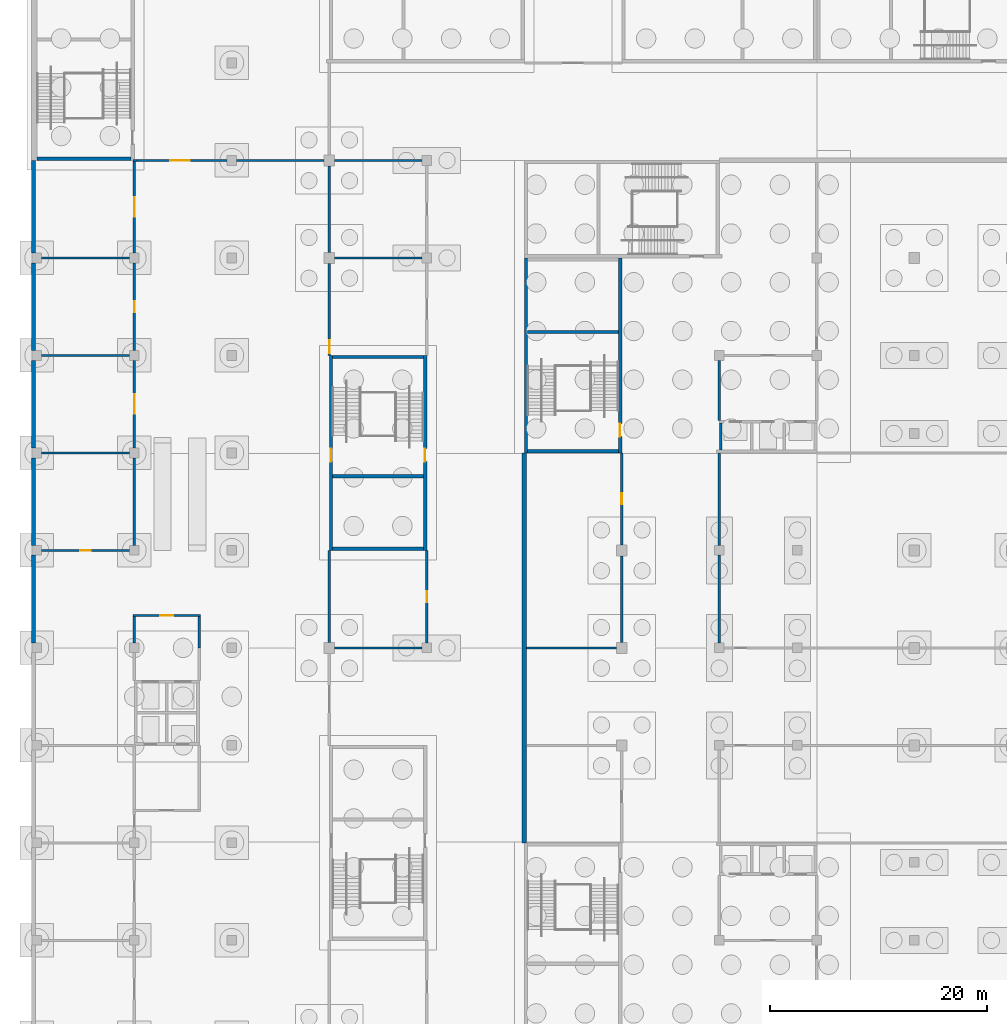
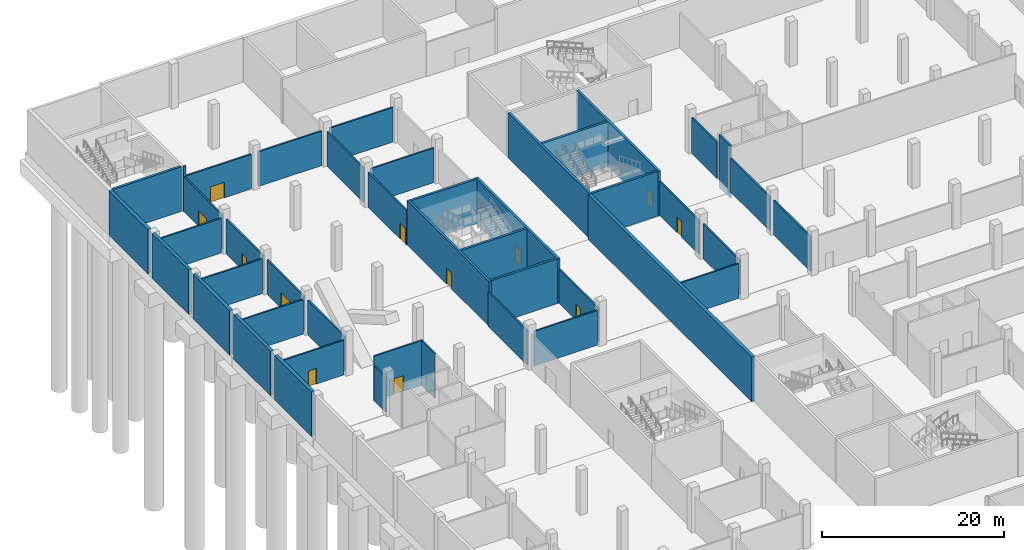
# One storey, part 12 of 42: 44 walls, 12 doors, 12 openings.
"""IFC4 building model written with IfcOpenShell, lengths in metres."""

from ifc_helpers import new_model, si_unit, direction, frame, frame_2d, origin, place, context, subcontext, project, spatial, rectangle, extrude, material, layer, layer_set, type_object, element, fill, save


model = new_model("IFC4")

# Units and contexts
model_context = context("Model", 3, precision=1e-05, world=origin(), true_north=direction((0.0, 1.0)))
body_context = subcontext(model_context, "Body", "Model", "MODEL_VIEW")
ifc_project = project(units=[si_unit("LENGTHUNIT", "METRE"), si_unit("AREAUNIT", "SQUARE_METRE"), si_unit("VOLUMEUNIT", "CUBIC_METRE"), si_unit("PLANEANGLEUNIT", "RADIAN"), si_unit("MASSUNIT", "GRAM", prefix="KILO")], contexts=[model_context])

# Site, building, storey
site_placement = place(None, origin())
site = spatial("IfcSite", under=ifc_project, at=site_placement, CompositionType="ELEMENT")
building_placement = place(site_placement, origin())
building = spatial("IfcBuilding", under=site, at=building_placement, Name="Silverbay Arena", CompositionType="ELEMENT")
storey_placement = place(building_placement, frame((0.0, 0.0, -6.0)))
storey = spatial("IfcBuildingStorey", under=building, at=storey_placement, Name="B1", CompositionType="ELEMENT", Elevation=-6.0)

# Walls
ifc_material_1 = material(Name="Concrete Grade C45", Category="concrete")
ifc_layer_1 = layer(ifc_material_1, 0.39990234375)
ifc_layer_set_1 = layer_set([ifc_layer_1], Name="Concrete Grade C45")
wall_type_1 = type_object("IfcWallType", Name="Basement perimeter wall 400", PredefinedType="SOLIDWALL", material=ifc_layer_set_1)
for number, where, z_axis, x_axis, name in (
    (1, (26.699951171875, 89.550048828125, 0.0), (0.0, 0.0, 1.0), (0.0, -1.0, 0.0), "West external wall B1 bay 8"),
    (2, (26.699951171875, 98.550048828125, 0.0), (0.0, 0.0, 1.0), (0.0, -1.0, 0.0), "West external wall B1 bay 9"),
    (3, (26.699951171875, 107.550048828125, 0.0), (0.0, 0.0, 1.0), (0.0, -1.0, 0.0), "West external wall B1 bay 10"),
    (4, (26.699951171875, 116.550048828125, 0.0), (0.0, 0.0, 1.0), (0.0, -1.0, 0.0), "West external wall B1 bay 11"),
):
    element("IfcWall", number, at=place(storey_placement, frame(where, z_axis=z_axis, x_axis=x_axis)), inside=storey, type_object=wall_type_1, Name=name, PredefinedType="SOLIDWALL", context=body_context, shape_type="SweptSolid", body=[
        extrude(rectangle(XDim=8.10009765625, YDim=0.39990234375, at=frame_2d((4.050048828125, 0.0))), origin(), (0.0, 0.0, 1.0), 6.0),
    ])
wall_1_placement = place(storey_placement, frame((26.699951171875, 126.0, 0.0), z_axis=(0.0, 0.0, 1.0), x_axis=(0.0, -1.0, 0.0)))
element("IfcWall", 5, at=wall_1_placement, inside=storey, type_object=wall_type_1, Name="West external wall B1 bay 12", PredefinedType="SOLIDWALL", context=body_context, shape_type="SweptSolid", body=[
    extrude(rectangle(XDim=8.550048828125, YDim=0.39990234375, at=frame_2d((4.27490234375, 0.0))), origin(), (0.0, 0.0, 1.0), 6.0),
])

# Wall, opening, door
ifc_material_2 = material(Name="Concrete Grade C45", Category="concrete")
ifc_layer_2 = layer(ifc_material_2, 0.300048828125)
ifc_layer_set_2 = layer_set([ifc_layer_2], Name="Concrete Grade C45")
wall_type_2 = type_object("IfcWallType", Name="Core wall RC 300 EI 240", PredefinedType="SHEAR", material=ifc_layer_set_2)
wall_2_placement = place(storey_placement, frame((62.85009765625, 108.0, 0.0), z_axis=(0.0, 0.0, 1.0), x_axis=(0.0, -1.0, 0.0)))
wall_2 = element("IfcWall", 6, at=wall_2_placement, inside=storey, type_object=wall_type_2, Name="Core wall ST-W2 B1 door side", PredefinedType="SHEAR", context=body_context, shape_type="SweptSolid", body=[
    extrude(rectangle(XDim=18.0, YDim=0.300048828125, at=frame_2d((9.0, 0.0))), origin(), (0.0, 0.0, 1.0), 6.0),
])
opening_1_placement = place(wall_2_placement, frame((8.60009765625, 0.0, 0.0)))
opening_1 = element("IfcOpeningElement", 7, at=opening_1_placement, cuts=wall_2, Name="Opening B1-084", PredefinedType="OPENING", context=body_context, shape_type="SweptSolid", body=[
    extrude(rectangle(XDim=1.199951171875, YDim=2.10009765625, at=frame_2d((0.60009765625, 1.050048828125))), frame((0.0, 0.16015625, 0.0), z_axis=(0.0, -1.0, 0.0), x_axis=(1.0, 0.0, 0.0)), (0.0, 0.0, 1.0), 0.320068359375),
])
ifc_material_3 = material(Name="Steel fire door", Category="steel")
door_type_1 = type_object("IfcDoorType", Name="Stair door 1200 x 2100 fire door", OperationType="SINGLE_SWING_LEFT", PredefinedType="DOOR", material=ifc_material_3)
door_1_placement = place(opening_1_placement, frame((1.199951171875, 0.0, 0.0), z_axis=(0.0, 0.0, 1.0), x_axis=(-1.0, 0.0, 0.0)))
door_1 = element("IfcDoor", 8, at=door_1_placement, inside=storey, type_object=door_type_1, Name="Stair door ST-W2 B1", OperationType="SINGLE_SWING_LEFT", OverallHeight=2.10009765625, OverallWidth=1.199951171875, PredefinedType="DOOR", context=body_context, shape_type="SweptSolid", body=[
    extrude(rectangle(XDim=1.199951171875, YDim=2.10009765625, at=frame_2d((0.60009765625, 1.050048828125))), frame((0.0, 0.02490234375, 0.0), z_axis=(0.0, -1.0, 0.0), x_axis=(1.0, 0.0, 0.0)), (0.0, 0.0, 1.0), 0.050048828125),
])
fill(opening_1, door_1)

wall_3_placement = place(storey_placement, frame((54.14990234375, 108.0, 0.0), z_axis=(0.0, 0.0, 1.0), x_axis=(0.0, -1.0, 0.0)))
wall_3 = element("IfcWall", 9, at=wall_3_placement, inside=storey, type_object=wall_type_2, Name="Core wall ST-W2 B1 far side", PredefinedType="SHEAR", context=body_context, shape_type="SweptSolid", body=[
    extrude(rectangle(XDim=18.0, YDim=0.300048828125, at=frame_2d((9.0, 0.0))), origin(), (0.0, 0.0, 1.0), 6.0),
])
opening_2_placement = place(wall_3_placement, frame((8.60009765625, 0.0, 0.0)))
opening_2 = element("IfcOpeningElement", 10, at=opening_2_placement, cuts=wall_3, Name="Opening B1-085", PredefinedType="OPENING", context=body_context, shape_type="SweptSolid", body=[
    extrude(rectangle(XDim=1.199951171875, YDim=2.10009765625, at=frame_2d((0.60009765625, 1.050048828125))), frame((0.0, 0.16015625, 0.0), z_axis=(0.0, -1.0, 0.0), x_axis=(1.0, 0.0, 0.0)), (0.0, 0.0, 1.0), 0.320068359375),
])
door_2_placement = place(opening_2_placement, origin())
door_2 = element("IfcDoor", 11, at=door_2_placement, inside=storey, type_object=door_type_1, Name="Stair door ST-W2 B1 concourse side", OperationType="SINGLE_SWING_RIGHT", OverallHeight=2.10009765625, OverallWidth=1.199951171875, PredefinedType="DOOR", context=body_context, shape_type="SweptSolid", body=[
    extrude(rectangle(XDim=1.199951171875, YDim=2.10009765625, at=frame_2d((0.60009765625, 1.050048828125))), frame((0.0, 0.02490234375, 0.0), z_axis=(0.0, -1.0, 0.0), x_axis=(1.0, 0.0, 0.0)), (0.0, 0.0, 1.0), 0.050048828125),
])
fill(opening_2, door_2)

# Walls
for number, where, z_axis, x_axis, name in (
    (12, (62.699951171875, 107.85009765625, 0.0), (0.0, 0.0, 1.0), (-1.0, 0.0, 0.0), "Core wall ST-W2 B1 end 1"),
    (13, (62.699951171875, 90.14990234375, 0.0), (0.0, 0.0, 1.0), (-1.0, 0.0, 0.0), "Core wall ST-W2 B1 end 2"),
    (14, (62.699951171875, 96.85009765625, 0.0), (0.0, 0.0, 1.0), (-1.0, 0.0, 0.0), "Core wall ST-W2 B1 stair enclosure"),
):
    element("IfcWall", number, at=place(storey_placement, frame(where, z_axis=z_axis, x_axis=x_axis)), inside=storey, type_object=wall_type_2, Name=name, PredefinedType="SHEAR", context=body_context, shape_type="SweptSolid", body=[
        extrude(rectangle(XDim=8.39990234375, YDim=0.300048828125, at=frame_2d((4.199951171875, 0.0))), origin(), (0.0, 0.0, 1.0), 6.0),
    ])

# Wall, opening, door
wall_4_placement = place(storey_placement, frame((80.85009765625, 99.0, 0.0), z_axis=(0.0, 0.0, 1.0), x_axis=(0.0, 1.0, 0.0)))
wall_4 = element("IfcWall", 15, at=wall_4_placement, inside=storey, type_object=wall_type_2, Name="Core wall ST-NW2 B1 door side", PredefinedType="SHEAR", context=body_context, shape_type="SweptSolid", body=[
    extrude(rectangle(XDim=18.0, YDim=0.300048828125, at=frame_2d((9.0, 0.0))), origin(), (0.0, 0.0, 1.0), 6.0),
])
opening_3_placement = place(wall_4_placement, frame((1.5, 0.0, 0.0)))
opening_3 = element("IfcOpeningElement", 16, at=opening_3_placement, cuts=wall_4, Name="Opening B1-093", PredefinedType="OPENING", context=body_context, shape_type="SweptSolid", body=[
    extrude(rectangle(XDim=1.199951171875, YDim=2.10009765625, at=frame_2d((0.60009765625, 1.050048828125))), frame((0.0, 0.16015625, 0.0), z_axis=(0.0, -1.0, 0.0), x_axis=(1.0, 0.0, 0.0)), (0.0, 0.0, 1.0), 0.320068359375),
])
door_3_placement = place(opening_3_placement, origin())
door_3 = element("IfcDoor", 17, at=door_3_placement, inside=storey, type_object=door_type_1, Name="Stair door ST-NW2 B1", OperationType="SINGLE_SWING_LEFT", OverallHeight=2.10009765625, OverallWidth=1.199951171875, PredefinedType="DOOR", context=body_context, shape_type="SweptSolid", body=[
    extrude(rectangle(XDim=1.199951171875, YDim=2.10009765625, at=frame_2d((0.60009765625, 1.050048828125))), frame((0.0, 0.02490234375, 0.0), z_axis=(0.0, -1.0, 0.0), x_axis=(1.0, 0.0, 0.0)), (0.0, 0.0, 1.0), 0.050048828125),
])
fill(opening_3, door_3)

# Walls
wall_5_placement = place(storey_placement, frame((72.14990234375, 99.0, 0.0), z_axis=(0.0, 0.0, 1.0), x_axis=(0.0, 1.0, 0.0)))
element("IfcWall", 18, at=wall_5_placement, inside=storey, type_object=wall_type_2, Name="Core wall ST-NW2 B1 far side", PredefinedType="SHEAR", context=body_context, shape_type="SweptSolid", body=[
    extrude(rectangle(XDim=18.0, YDim=0.300048828125, at=frame_2d((9.0, 0.0))), origin(), (0.0, 0.0, 1.0), 6.0),
])
for number, where, z_axis, x_axis, name in (
    (19, (80.699951171875, 99.14990234375, 0.0), (0.0, 0.0, 1.0), (-1.0, 0.0, 0.0), "Core wall ST-NW2 B1 end 1"),
    (20, (80.699951171875, 110.14990234375, 0.0), (0.0, 0.0, 1.0), (-1.0, 0.0, 0.0), "Core wall ST-NW2 B1 stair enclosure"),
):
    element("IfcWall", number, at=place(storey_placement, frame(where, z_axis=z_axis, x_axis=x_axis)), inside=storey, type_object=wall_type_2, Name=name, PredefinedType="SHEAR", context=body_context, shape_type="SweptSolid", body=[
        extrude(rectangle(XDim=8.39990234375, YDim=0.300048828125, at=frame_2d((4.199951171875, 0.0))), origin(), (0.0, 0.0, 1.0), 6.0),
    ])
wall_6_placement = place(storey_placement, frame((35.699951171875, 126.14990234375, 0.0), z_axis=(0.0, 0.0, 1.0), x_axis=(-1.0, 0.0, 0.0)))
element("IfcWall", 21, at=wall_6_placement, inside=storey, type_object=wall_type_2, Name="Core wall ST-WG2 B1 end 1", PredefinedType="SHEAR", context=body_context, shape_type="SweptSolid", body=[
    extrude(rectangle(XDim=8.699951171875, YDim=0.300048828125, at=frame_2d((4.35009765625, 0.0))), origin(), (0.0, 0.0, 1.0), 6.0),
])
ifc_material_4 = material(Name="Concrete Grade C45", Category="concrete")
ifc_layer_3 = layer(ifc_material_4, 0.25)
ifc_layer_set_3 = layer_set([ifc_layer_3], Name="Concrete Grade C45")
wall_type_3 = type_object("IfcWallType", Name="Lift shaft wall RC 250 EI 240", PredefinedType="SHEAR", material=ifc_layer_set_3)
wall_7_placement = place(storey_placement, frame((90.125, 99.25, -1.0), z_axis=(0.0, 0.0, 1.0), x_axis=(0.0, 1.0, 0.0)))
element("IfcWall", 22, at=wall_7_placement, inside=storey, type_object=wall_type_3, Name="Lift shaft wall LB-NW B1 end", PredefinedType="SHEAR", context=body_context, shape_type="SweptSolid", body=[
    extrude(rectangle(XDim=2.5, YDim=0.25, at=frame_2d((1.25, 0.0))), origin(), (0.0, 0.0, 1.0), 7.0),
])
ifc_material_5 = material(Name="Masonry blockwork partition", Category="masonry")
ifc_layer_4 = layer(ifc_material_5, 0.199951171875)
ifc_layer_set_4 = layer_set([ifc_layer_4], Name="Masonry blockwork partition")
wall_type_4 = type_object("IfcWallType", Name="Partition 200 EI 240", PredefinedType="PARTITIONING", material=ifc_layer_set_4)
wall_8_placement = place(storey_placement, frame((54.5, 81.0, 0.0), z_axis=(0.0, 0.0, 1.0), x_axis=(1.0, 0.0, 0.0)))
element("IfcWall", 23, at=wall_8_placement, inside=storey, type_object=wall_type_4, Name="Partition wall", PredefinedType="PARTITIONING", context=body_context, shape_type="SweptSolid", body=[
    extrude(rectangle(XDim=8.050048828125, YDim=0.199951171875, at=frame_2d((4.02490234375, 0.0))), origin(), (0.0, 0.0, 1.0), 4.64990234375),
])
wall_9_placement = place(storey_placement, frame((72.199951171875, 81.0, 0.0), z_axis=(0.0, 0.0, 1.0), x_axis=(1.0, 0.0, 0.0)))
element("IfcWall", 24, at=wall_9_placement, inside=storey, type_object=wall_type_4, Name="Partition wall", PredefinedType="PARTITIONING", context=body_context, shape_type="SweptSolid", body=[
    extrude(rectangle(XDim=8.300048828125, YDim=0.199951171875, at=frame_2d((4.14990234375, 0.0))), origin(), (0.0, 0.0, 1.0), 4.64990234375),
])

# Wall, opening, door
wall_10_placement = place(storey_placement, frame((35.89990234375, 84.0, 0.0), z_axis=(0.0, 0.0, 1.0), x_axis=(1.0, 0.0, 0.0)))
wall_10 = element("IfcWall", 25, at=wall_10_placement, inside=storey, type_object=wall_type_4, Name="Partition wall", PredefinedType="PARTITIONING", context=body_context, shape_type="SweptSolid", body=[
    extrude(rectangle(XDim=6.2001953125, YDim=0.199951171875, at=frame_2d((3.10009765625, 0.0))), origin(), (0.0, 0.0, 1.0), 6.0),
])
opening_4_placement = place(wall_10_placement, frame((2.5, 0.0, 0.0)))
opening_4 = element("IfcOpeningElement", 26, at=opening_4_placement, cuts=wall_10, Name="Opening B1-054", PredefinedType="OPENING", context=body_context, shape_type="SweptSolid", body=[
    extrude(rectangle(XDim=1.199951171875, YDim=2.10009765625, at=frame_2d((0.60009765625, 1.050048828125))), frame((0.0, 0.10986328125, 0.0), z_axis=(0.0, -1.0, 0.0), x_axis=(1.0, 0.0, 0.0)), (0.0, 0.0, 1.0), 0.219970703125),
])
ifc_material_6 = material(Name="Steel faced timber", Category="steel")
door_type_2 = type_object("IfcDoorType", Name="Single leaf door 1200 x 2100 FD240", OperationType="SINGLE_SWING_LEFT", PredefinedType="DOOR", material=ifc_material_6)
door_4_placement = place(opening_4_placement, origin())
door_4 = element("IfcDoor", 27, at=door_4_placement, inside=storey, type_object=door_type_2, Name="Door B1-054", OperationType="SINGLE_SWING_RIGHT", OverallHeight=2.10009765625, OverallWidth=1.199951171875, PredefinedType="DOOR", context=body_context, shape_type="SweptSolid", body=[
    extrude(rectangle(XDim=1.199951171875, YDim=2.10009765625, at=frame_2d((0.60009765625, 1.050048828125))), frame((0.0, 0.02490234375, 0.0), z_axis=(0.0, -1.0, 0.0), x_axis=(1.0, 0.0, 0.0)), (0.0, 0.0, 1.0), 0.050048828125),
])
fill(opening_4, door_4)

wall_11_placement = place(storey_placement, frame((27.449951171875, 90.0, 0.0), z_axis=(0.0, 0.0, 1.0), x_axis=(1.0, 0.0, 0.0)))
wall_11 = element("IfcWall", 28, at=wall_11_placement, inside=storey, type_object=wall_type_4, Name="Partition wall", PredefinedType="PARTITIONING", context=body_context, shape_type="SweptSolid", body=[
    extrude(rectangle(XDim=8.10009765625, YDim=0.199951171875, at=frame_2d((4.050048828125, 0.0))), origin(), (0.0, 0.0, 1.0), 4.64990234375),
])
opening_5_placement = place(wall_11_placement, frame((3.550048828125, 0.0, 0.0)))
opening_5 = element("IfcOpeningElement", 29, at=opening_5_placement, cuts=wall_11, Name="Opening B1-025", PredefinedType="OPENING", context=body_context, shape_type="SweptSolid", body=[
    extrude(rectangle(XDim=1.0, YDim=2.10009765625, at=frame_2d((0.5, 1.050048828125))), frame((0.0, 0.10986328125, 0.0), z_axis=(0.0, -1.0, 0.0), x_axis=(1.0, 0.0, 0.0)), (0.0, 0.0, 1.0), 0.219970703125),
])
ifc_material_7 = material(Name="Steel faced timber", Category="steel")
door_type_3 = type_object("IfcDoorType", Name="Single leaf door 1000 x 2100 FD120", OperationType="SINGLE_SWING_LEFT", PredefinedType="DOOR", material=ifc_material_7)
door_5_placement = place(opening_5_placement, origin())
door_5 = element("IfcDoor", 30, at=door_5_placement, inside=storey, type_object=door_type_3, Name="Door B1-025", OperationType="SINGLE_SWING_LEFT", OverallHeight=2.10009765625, OverallWidth=1.0, PredefinedType="DOOR", context=body_context, shape_type="SweptSolid", body=[
    extrude(rectangle(XDim=1.0, YDim=2.10009765625, at=frame_2d((0.5, 1.050048828125))), frame((0.0, 0.02490234375, 0.0), z_axis=(0.0, -1.0, 0.0), x_axis=(1.0, 0.0, 0.0)), (0.0, 0.0, 1.0), 0.050048828125),
])
fill(opening_5, door_5)

# Walls
for number, where, z_axis, x_axis, name in (
    (31, (27.449951171875, 99.0, 0.0), (0.0, 0.0, 1.0), (1.0, 0.0, 0.0), "Partition wall"),
    (32, (27.449951171875, 108.0, 0.0), (0.0, 0.0, 1.0), (1.0, 0.0, 0.0), "Partition wall"),
    (33, (27.449951171875, 117.0, 0.0), (0.0, 0.0, 1.0), (1.0, 0.0, 0.0), "Partition wall"),
):
    element("IfcWall", number, at=place(storey_placement, frame(where, z_axis=z_axis, x_axis=x_axis)), inside=storey, type_object=wall_type_4, Name=name, PredefinedType="PARTITIONING", context=body_context, shape_type="SweptSolid", body=[
        extrude(rectangle(XDim=8.10009765625, YDim=0.199951171875, at=frame_2d((4.050048828125, 0.0))), origin(), (0.0, 0.0, 1.0), 4.64990234375),
    ])
for number, where, z_axis, x_axis, name in (
    (34, (54.5, 117.0, 0.0), (0.0, 0.0, 1.0), (1.0, 0.0, 0.0), "Partition wall"),
    (35, (45.449951171875, 126.0, 0.0), (0.0, 0.0, 1.0), (1.0, 0.0, 0.0), "Partition wall"),
):
    element("IfcWall", number, at=place(storey_placement, frame(where, z_axis=z_axis, x_axis=x_axis)), inside=storey, type_object=wall_type_4, Name=name, PredefinedType="PARTITIONING", context=body_context, shape_type="SweptSolid", body=[
        extrude(rectangle(XDim=8.050048828125, YDim=0.199951171875, at=frame_2d((4.02490234375, 0.0))), origin(), (0.0, 0.0, 1.0), 4.64990234375),
    ])

# Wall, opening, door
wall_12_placement = place(storey_placement, frame((36.25, 126.0, 0.0), z_axis=(0.0, 0.0, 1.0), x_axis=(1.0, 0.0, 0.0)))
wall_12 = element("IfcWall", 36, at=wall_12_placement, inside=storey, type_object=wall_type_4, Name="Partition wall", PredefinedType="PARTITIONING", context=body_context, shape_type="SweptSolid", body=[
    extrude(rectangle(XDim=8.300048828125, YDim=0.199951171875, at=frame_2d((4.14990234375, 0.0))), origin(), (0.0, 0.0, 1.0), 4.64990234375),
])
opening_6_placement = place(wall_12_placement, frame((3.074951171875, 0.0, 0.0)))
opening_6 = element("IfcOpeningElement", 37, at=opening_6_placement, cuts=wall_12, Name="Opening B1-061", PredefinedType="OPENING", context=body_context, shape_type="SweptSolid", body=[
    extrude(rectangle(XDim=1.800048828125, YDim=2.10009765625, at=frame_2d((0.89990234375, 1.050048828125))), frame((0.0, 0.10986328125, 0.0), z_axis=(0.0, -1.0, 0.0), x_axis=(1.0, 0.0, 0.0)), (0.0, 0.0, 1.0), 0.219970703125),
])
ifc_material_8 = material(Name="Steel faced timber", Category="steel")
door_type_4 = type_object("IfcDoorType", Name="Double leaf door 1800 x 2100 FD240", OperationType="DOUBLE_DOOR_DOUBLE_SWING", PredefinedType="DOOR", material=ifc_material_8)
door_6_placement = place(opening_6_placement, origin())
door_6 = element("IfcDoor", 38, at=door_6_placement, inside=storey, type_object=door_type_4, Name="Door B1-061", OperationType="DOUBLE_DOOR_DOUBLE_SWING", OverallHeight=2.10009765625, OverallWidth=1.800048828125, PredefinedType="DOOR", context=body_context, shape_type="SweptSolid", body=[
    extrude(rectangle(XDim=1.800048828125, YDim=2.10009765625, at=frame_2d((0.89990234375, 1.050048828125))), frame((0.0, 0.02490234375, 0.0), z_axis=(0.0, -1.0, 0.0), x_axis=(1.0, 0.0, 0.0)), (0.0, 0.0, 1.0), 0.050048828125),
])
fill(opening_6, door_6)

# Walls
wall_13_placement = place(storey_placement, frame((54.5, 126.0, 0.0), z_axis=(0.0, 0.0, 1.0), x_axis=(1.0, 0.0, 0.0)))
element("IfcWall", 39, at=wall_13_placement, inside=storey, type_object=wall_type_4, Name="Partition wall", PredefinedType="PARTITIONING", context=body_context, shape_type="SweptSolid", body=[
    extrude(rectangle(XDim=8.050048828125, YDim=0.199951171875, at=frame_2d((4.02490234375, 0.0))), origin(), (0.0, 0.0, 1.0), 4.64990234375),
])
wall_14_placement = place(storey_placement, frame((36.0, 81.449951171875, 0.0), z_axis=(0.0, 0.0, 1.0), x_axis=(0.0, 1.0, 0.0)))
element("IfcWall", 40, at=wall_14_placement, inside=storey, type_object=wall_type_4, Name="Partition wall", PredefinedType="PARTITIONING", context=body_context, shape_type="SweptSolid", body=[
    extrude(rectangle(XDim=2.449951171875, YDim=0.199951171875, at=frame_2d((1.22509765625, 0.0))), origin(), (0.0, 0.0, 1.0), 4.64990234375),
])
wall_15_placement = place(storey_placement, frame((36.0, 90.449951171875, 0.0), z_axis=(0.0, 0.0, 1.0), x_axis=(0.0, 1.0, 0.0)))
element("IfcWall", 41, at=wall_15_placement, inside=storey, type_object=wall_type_4, Name="Partition wall", PredefinedType="PARTITIONING", context=body_context, shape_type="SweptSolid", body=[
    extrude(rectangle(XDim=8.10009765625, YDim=0.199951171875, at=frame_2d((4.050048828125, 0.0))), origin(), (0.0, 0.0, 1.0), 4.64990234375),
])

# Wall, opening, door
wall_16_placement = place(storey_placement, frame((36.0, 99.449951171875, 0.0), z_axis=(0.0, 0.0, 1.0), x_axis=(0.0, 1.0, 0.0)))
wall_16 = element("IfcWall", 42, at=wall_16_placement, inside=storey, type_object=wall_type_4, Name="Partition wall", PredefinedType="PARTITIONING", context=body_context, shape_type="SweptSolid", body=[
    extrude(rectangle(XDim=8.10009765625, YDim=0.199951171875, at=frame_2d((4.050048828125, 0.0))), origin(), (0.0, 0.0, 1.0), 4.64990234375),
])
opening_7_placement = place(wall_16_placement, frame((3.14990234375, 0.0, 0.0)))
opening_7 = element("IfcOpeningElement", 43, at=opening_7_placement, cuts=wall_16, Name="Opening B1-026", PredefinedType="OPENING", context=body_context, shape_type="SweptSolid", body=[
    extrude(rectangle(XDim=1.800048828125, YDim=2.10009765625, at=frame_2d((0.89990234375, 1.050048828125))), frame((0.0, 0.10986328125, 0.0), z_axis=(0.0, -1.0, 0.0), x_axis=(1.0, 0.0, 0.0)), (0.0, 0.0, 1.0), 0.219970703125),
])
ifc_material_9 = material(Name="Steel faced timber", Category="steel")
door_type_5 = type_object("IfcDoorType", Name="Double leaf door 1800 x 2100 FD30S", OperationType="DOUBLE_DOOR_DOUBLE_SWING", PredefinedType="DOOR", material=ifc_material_9)
door_7_placement = place(opening_7_placement, origin())
door_7 = element("IfcDoor", 44, at=door_7_placement, inside=storey, type_object=door_type_5, Name="Door B1-026", OperationType="DOUBLE_DOOR_DOUBLE_SWING", OverallHeight=2.10009765625, OverallWidth=1.800048828125, PredefinedType="DOOR", context=body_context, shape_type="SweptSolid", body=[
    extrude(rectangle(XDim=1.800048828125, YDim=2.10009765625, at=frame_2d((0.89990234375, 1.050048828125))), frame((0.0, 0.02490234375, 0.0), z_axis=(0.0, -1.0, 0.0), x_axis=(1.0, 0.0, 0.0)), (0.0, 0.0, 1.0), 0.050048828125),
])
fill(opening_7, door_7)

wall_17_placement = place(storey_placement, frame((36.0, 108.449951171875, 0.0), z_axis=(0.0, 0.0, 1.0), x_axis=(0.0, 1.0, 0.0)))
wall_17 = element("IfcWall", 45, at=wall_17_placement, inside=storey, type_object=wall_type_4, Name="Partition wall", PredefinedType="PARTITIONING", context=body_context, shape_type="SweptSolid", body=[
    extrude(rectangle(XDim=8.10009765625, YDim=0.199951171875, at=frame_2d((4.050048828125, 0.0))), origin(), (0.0, 0.0, 1.0), 4.64990234375),
])
opening_8_placement = place(wall_17_placement, frame((3.550048828125, 0.0, 0.0)))
opening_8 = element("IfcOpeningElement", 46, at=opening_8_placement, cuts=wall_17, Name="Opening B1-027", PredefinedType="OPENING", context=body_context, shape_type="SweptSolid", body=[
    extrude(rectangle(XDim=1.0, YDim=2.10009765625, at=frame_2d((0.5, 1.050048828125))), frame((0.0, 0.10986328125, 0.0), z_axis=(0.0, -1.0, 0.0), x_axis=(1.0, 0.0, 0.0)), (0.0, 0.0, 1.0), 0.219970703125),
])
door_8_placement = place(opening_8_placement, origin())
door_8 = element("IfcDoor", 47, at=door_8_placement, inside=storey, type_object=door_type_3, Name="Door B1-027", OperationType="SINGLE_SWING_LEFT", OverallHeight=2.10009765625, OverallWidth=1.0, PredefinedType="DOOR", context=body_context, shape_type="SweptSolid", body=[
    extrude(rectangle(XDim=1.0, YDim=2.10009765625, at=frame_2d((0.5, 1.050048828125))), frame((0.0, 0.02490234375, 0.0), z_axis=(0.0, -1.0, 0.0), x_axis=(1.0, 0.0, 0.0)), (0.0, 0.0, 1.0), 0.050048828125),
])
fill(opening_8, door_8)

wall_18_placement = place(storey_placement, frame((36.0, 117.449951171875, 0.0), z_axis=(0.0, 0.0, 1.0), x_axis=(0.0, 1.0, 0.0)))
wall_18 = element("IfcWall", 48, at=wall_18_placement, inside=storey, type_object=wall_type_4, Name="Partition wall", PredefinedType="PARTITIONING", context=body_context, shape_type="SweptSolid", body=[
    extrude(rectangle(XDim=8.449951171875, YDim=0.199951171875, at=frame_2d((4.22509765625, 0.0))), origin(), (0.0, 0.0, 1.0), 4.64990234375),
])
opening_9_placement = place(wall_18_placement, frame((3.324951171875, 0.0, 0.0)))
opening_9 = element("IfcOpeningElement", 49, at=opening_9_placement, cuts=wall_18, Name="Opening B1-028", PredefinedType="OPENING", context=body_context, shape_type="SweptSolid", body=[
    extrude(rectangle(XDim=1.800048828125, YDim=2.10009765625, at=frame_2d((0.89990234375, 1.050048828125))), frame((0.0, 0.10986328125, 0.0), z_axis=(0.0, -1.0, 0.0), x_axis=(1.0, 0.0, 0.0)), (0.0, 0.0, 1.0), 0.219970703125),
])
door_9_placement = place(opening_9_placement, origin())
door_9 = element("IfcDoor", 50, at=door_9_placement, inside=storey, type_object=door_type_5, Name="Door B1-028", OperationType="DOUBLE_DOOR_DOUBLE_SWING", OverallHeight=2.10009765625, OverallWidth=1.800048828125, PredefinedType="DOOR", context=body_context, shape_type="SweptSolid", body=[
    extrude(rectangle(XDim=1.800048828125, YDim=2.10009765625, at=frame_2d((0.89990234375, 1.050048828125))), frame((0.0, 0.02490234375, 0.0), z_axis=(0.0, -1.0, 0.0), x_axis=(1.0, 0.0, 0.0)), (0.0, 0.0, 1.0), 0.050048828125),
])
fill(opening_9, door_9)

# Walls
wall_19_placement = place(storey_placement, frame((42.0, 81.0, 0.0), z_axis=(0.0, 0.0, 1.0), x_axis=(0.0, 1.0, 0.0)))
element("IfcWall", 51, at=wall_19_placement, inside=storey, type_object=wall_type_4, Name="Partition wall", PredefinedType="PARTITIONING", context=body_context, shape_type="SweptSolid", body=[
    extrude(rectangle(XDim=2.89990234375, YDim=0.199951171875, at=frame_2d((1.449951171875, 0.0))), origin(), (0.0, 0.0, 1.0), 6.0),
])
wall_20_placement = place(storey_placement, frame((54.0, 81.5, 0.0), z_axis=(0.0, 0.0, 1.0), x_axis=(0.0, 1.0, 0.0)))
element("IfcWall", 52, at=wall_20_placement, inside=storey, type_object=wall_type_4, Name="Partition wall", PredefinedType="PARTITIONING", context=body_context, shape_type="SweptSolid", body=[
    extrude(rectangle(XDim=8.5, YDim=0.199951171875, at=frame_2d((4.25, 0.0))), origin(), (0.0, 0.0, 1.0), 4.64990234375),
])

# Wall, opening, door
wall_21_placement = place(storey_placement, frame((54.0, 108.0, 0.0), z_axis=(0.0, 0.0, 1.0), x_axis=(0.0, 1.0, 0.0)))
wall_21 = element("IfcWall", 53, at=wall_21_placement, inside=storey, type_object=wall_type_4, Name="Partition wall", PredefinedType="PARTITIONING", context=body_context, shape_type="SweptSolid", body=[
    extrude(rectangle(XDim=8.5, YDim=0.199951171875, at=frame_2d((4.25, 0.0))), origin(), (0.0, 0.0, 1.0), 4.64990234375),
])
opening_10_placement = place(wall_21_placement, frame((0.199951171875, 0.0, 0.0)))
opening_10 = element("IfcOpeningElement", 54, at=opening_10_placement, cuts=wall_21, Name="Opening B1-063", PredefinedType="OPENING", context=body_context, shape_type="SweptSolid", body=[
    extrude(rectangle(XDim=1.199951171875, YDim=2.10009765625, at=frame_2d((0.60009765625, 1.050048828125))), frame((0.0, 0.10986328125, 0.0), z_axis=(0.0, -1.0, 0.0), x_axis=(1.0, 0.0, 0.0)), (0.0, 0.0, 1.0), 0.219970703125),
])
ifc_material_10 = material(Name="Steel faced timber", Category="steel")
door_type_6 = type_object("IfcDoorType", Name="Double leaf door 1200 x 2100 FD120", OperationType="DOUBLE_DOOR_DOUBLE_SWING", PredefinedType="DOOR", material=ifc_material_10)
door_10_placement = place(opening_10_placement, frame((1.199951171875, 0.0, 0.0), z_axis=(0.0, 0.0, 1.0), x_axis=(-1.0, 0.0, 0.0)))
door_10 = element("IfcDoor", 55, at=door_10_placement, inside=storey, type_object=door_type_6, Name="Door B1-063", OperationType="DOUBLE_DOOR_DOUBLE_SWING", OverallHeight=2.10009765625, OverallWidth=1.199951171875, PredefinedType="DOOR", context=body_context, shape_type="SweptSolid", body=[
    extrude(rectangle(XDim=1.199951171875, YDim=2.10009765625, at=frame_2d((0.60009765625, 1.050048828125))), frame((0.0, 0.02490234375, 0.0), z_axis=(0.0, -1.0, 0.0), x_axis=(1.0, 0.0, 0.0)), (0.0, 0.0, 1.0), 0.050048828125),
])
fill(opening_10, door_10)

# Wall
wall_22_placement = place(storey_placement, frame((54.0, 117.5, 0.0), z_axis=(0.0, 0.0, 1.0), x_axis=(0.0, 1.0, 0.0)))
element("IfcWall", 56, at=wall_22_placement, inside=storey, type_object=wall_type_4, Name="Partition wall", PredefinedType="PARTITIONING", context=body_context, shape_type="SweptSolid", body=[
    extrude(rectangle(XDim=8.0, YDim=0.199951171875, at=frame_2d((4.0, 0.0))), origin(), (0.0, 0.0, 1.0), 4.64990234375),
])

# Wall, opening, door
wall_23_placement = place(storey_placement, frame((63.0, 81.449951171875, 0.0), z_axis=(0.0, 0.0, 1.0), x_axis=(0.0, 1.0, 0.0)))
wall_23 = element("IfcWall", 57, at=wall_23_placement, inside=storey, type_object=wall_type_4, Name="Partition wall", PredefinedType="PARTITIONING", context=body_context, shape_type="SweptSolid", body=[
    extrude(rectangle(XDim=8.550048828125, YDim=0.199951171875, at=frame_2d((4.27490234375, 0.0))), origin(), (0.0, 0.0, 1.0), 4.550048828125),
])
opening_11_placement = place(wall_23_placement, frame((3.77490234375, 0.0, 0.0)))
opening_11 = element("IfcOpeningElement", 58, at=opening_11_placement, cuts=wall_23, Name="Opening B1-013", PredefinedType="OPENING", context=body_context, shape_type="SweptSolid", body=[
    extrude(rectangle(XDim=1.0, YDim=2.10009765625, at=frame_2d((0.5, 1.050048828125))), frame((0.0, 0.10986328125, 0.0), z_axis=(0.0, -1.0, 0.0), x_axis=(1.0, 0.0, 0.0)), (0.0, 0.0, 1.0), 0.219970703125),
])
door_11_placement = place(opening_11_placement, origin())
door_11 = element("IfcDoor", 59, at=door_11_placement, inside=storey, type_object=door_type_3, Name="Door B1-013", OperationType="SINGLE_SWING_LEFT", OverallHeight=2.10009765625, OverallWidth=1.0, PredefinedType="DOOR", context=body_context, shape_type="SweptSolid", body=[
    extrude(rectangle(XDim=1.0, YDim=2.10009765625, at=frame_2d((0.5, 1.050048828125))), frame((0.0, 0.02490234375, 0.0), z_axis=(0.0, -1.0, 0.0), x_axis=(1.0, 0.0, 0.0)), (0.0, 0.0, 1.0), 0.050048828125),
])
fill(opening_11, door_11)

# Wall
wall_24_placement = place(storey_placement, frame((81.0, 81.5, 0.0), z_axis=(0.0, 0.0, 1.0), x_axis=(0.0, 1.0, 0.0)))
element("IfcWall", 60, at=wall_24_placement, inside=storey, type_object=wall_type_4, Name="Partition wall", PredefinedType="PARTITIONING", context=body_context, shape_type="SweptSolid", body=[
    extrude(rectangle(XDim=8.0, YDim=0.199951171875, at=frame_2d((4.0, 0.0))), origin(), (0.0, 0.0, 1.0), 4.64990234375),
])

# Wall, opening, door
wall_25_placement = place(storey_placement, frame((81.0, 90.5, 0.0), z_axis=(0.0, 0.0, 1.0), x_axis=(0.0, 1.0, 0.0)))
wall_25 = element("IfcWall", 61, at=wall_25_placement, inside=storey, type_object=wall_type_4, Name="Partition wall", PredefinedType="PARTITIONING", context=body_context, shape_type="SweptSolid", body=[
    extrude(rectangle(XDim=8.5, YDim=0.199951171875, at=frame_2d((4.25, 0.0))), origin(), (0.0, 0.0, 1.0), 4.550048828125),
])
opening_12_placement = place(wall_25_placement, frame((3.75, 0.0, 0.0)))
opening_12 = element("IfcOpeningElement", 62, at=opening_12_placement, cuts=wall_25, Name="Opening B1-048", PredefinedType="OPENING", context=body_context, shape_type="SweptSolid", body=[
    extrude(rectangle(XDim=1.0, YDim=2.10009765625, at=frame_2d((0.5, 1.050048828125))), frame((0.0, 0.10986328125, 0.0), z_axis=(0.0, -1.0, 0.0), x_axis=(1.0, 0.0, 0.0)), (0.0, 0.0, 1.0), 0.219970703125),
])
ifc_material_11 = material(Name="Steel faced timber", Category="steel")
door_type_7 = type_object("IfcDoorType", Name="Single leaf door 1000 x 2100 FD30S", OperationType="SINGLE_SWING_LEFT", PredefinedType="DOOR", material=ifc_material_11)
door_12_placement = place(opening_12_placement, origin())
door_12 = element("IfcDoor", 63, at=door_12_placement, inside=storey, type_object=door_type_7, Name="Door B1-048", OperationType="SINGLE_SWING_RIGHT", OverallHeight=2.10009765625, OverallWidth=1.0, PredefinedType="DOOR", context=body_context, shape_type="SweptSolid", body=[
    extrude(rectangle(XDim=1.0, YDim=2.10009765625, at=frame_2d((0.5, 1.050048828125))), frame((0.0, 0.02490234375, 0.0), z_axis=(0.0, -1.0, 0.0), x_axis=(1.0, 0.0, 0.0)), (0.0, 0.0, 1.0), 0.050048828125),
])
fill(opening_12, door_12)

# Walls
wall_26_placement = place(storey_placement, frame((90.0, 81.449951171875, 0.0), z_axis=(0.0, 0.0, 1.0), x_axis=(0.0, 1.0, 0.0)))
element("IfcWall", 64, at=wall_26_placement, inside=storey, type_object=wall_type_4, Name="Partition wall", PredefinedType="PARTITIONING", context=body_context, shape_type="SweptSolid", body=[
    extrude(rectangle(XDim=8.10009765625, YDim=0.199951171875, at=frame_2d((4.050048828125, 0.0))), origin(), (0.0, 0.0, 1.0), 4.64990234375),
])
wall_27_placement = place(storey_placement, frame((90.0, 90.449951171875, 0.0), z_axis=(0.0, 0.0, 1.0), x_axis=(0.0, 1.0, 0.0)))
element("IfcWall", 65, at=wall_27_placement, inside=storey, type_object=wall_type_4, Name="Partition wall", PredefinedType="PARTITIONING", context=body_context, shape_type="SweptSolid", body=[
    extrude(rectangle(XDim=8.550048828125, YDim=0.199951171875, at=frame_2d((4.27490234375, 0.0))), origin(), (0.0, 0.0, 1.0), 4.550048828125),
])
wall_28_placement = place(storey_placement, frame((90.0, 102.0, 0.0), z_axis=(0.0, 0.0, 1.0), x_axis=(0.0, 1.0, 0.0)))
element("IfcWall", 66, at=wall_28_placement, inside=storey, type_object=wall_type_4, Name="Partition wall", PredefinedType="PARTITIONING", context=body_context, shape_type="SweptSolid", body=[
    extrude(rectangle(XDim=5.550048828125, YDim=0.199951171875, at=frame_2d((2.77490234375, 0.0))), origin(), (0.0, 0.0, 1.0), 4.85009765625),
])
wall_29_placement = place(storey_placement, frame((35.89990234375, 126.0, 0.0), z_axis=(0.0, 0.0, 1.0), x_axis=(1.0, 0.0, 0.0)))
element("IfcWall", 67, at=wall_29_placement, inside=storey, type_object=wall_type_4, Name="Partition wall", PredefinedType="PARTITIONING", context=body_context, shape_type="SweptSolid", body=[
    extrude(rectangle(XDim=0.35009765625, YDim=0.199951171875, at=frame_2d((0.175048828125, 0.0))), origin(), (0.0, 0.0, 1.0), 6.0),
])
ifc_material_12 = material(Name="Concrete Grade C45", Category="concrete")
ifc_layer_5 = layer(ifc_material_12, 0.39990234375)
ifc_layer_set_5 = layer_set([ifc_layer_5], Name="Concrete Grade C45")
wall_type_5 = type_object("IfcWallType", Name="RC back wall 400 EI 240", PredefinedType="SOLIDWALL", material=ifc_layer_set_5)
wall_30_placement = place(storey_placement, frame((72.0, 99.0, 0.0), z_axis=(0.0, 0.0, 1.0), x_axis=(0.0, -1.0, 0.0)))
element("IfcWall", 68, at=wall_30_placement, inside=storey, type_object=wall_type_5, Name="Bowl back wall B1 06", PredefinedType="SOLIDWALL", context=body_context, shape_type="SweptSolid", body=[
    extrude(rectangle(XDim=36.0, YDim=0.39990234375, at=frame_2d((18.0, 0.0))), origin(), (0.0, 0.0, 1.0), 6.0),
])

save(model, "model.ifc")
